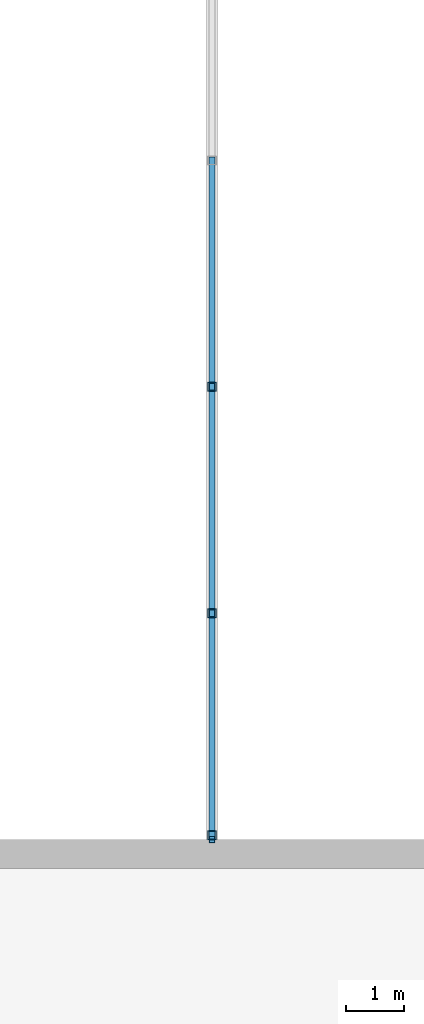
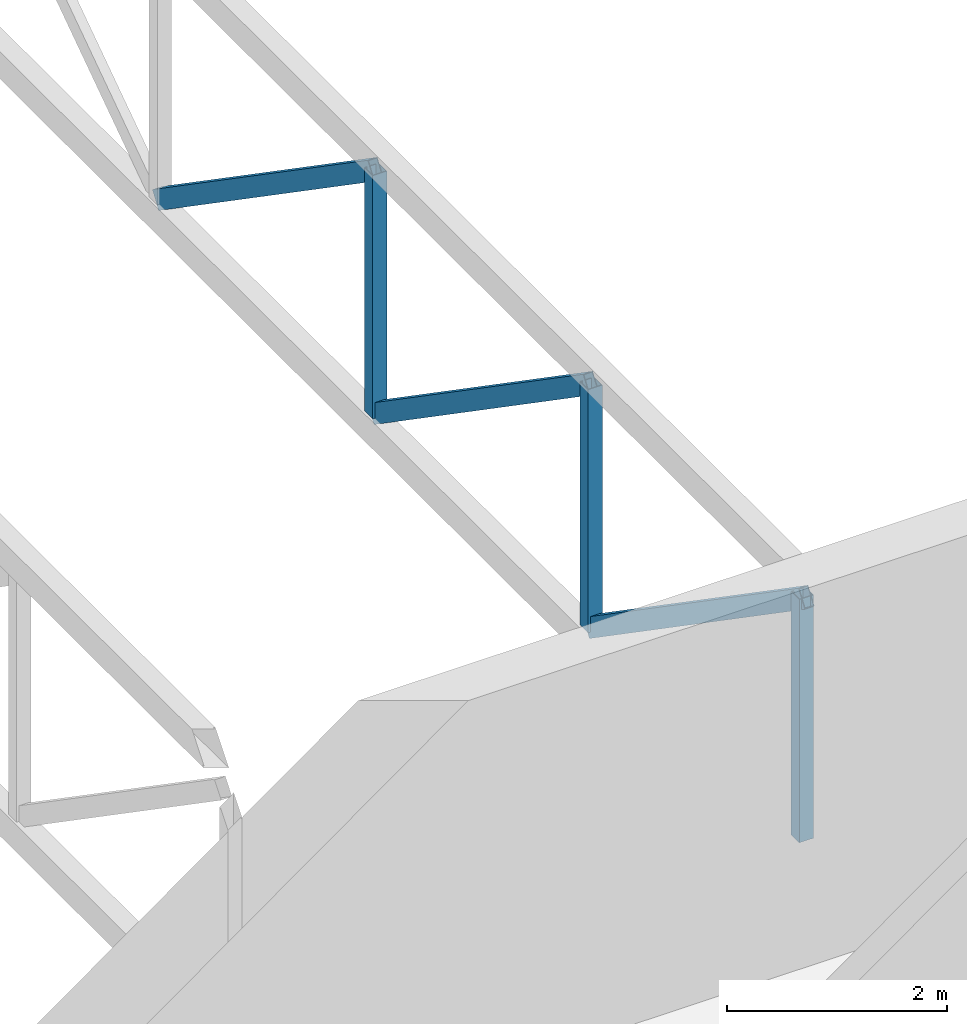
# One storey, part 8 of 47: 6 members.
"""IFC4 building model written with IfcOpenShell, lengths in metres."""

import ifcopenshell
import ifcopenshell.guid

model = None  # the IFC model being written
_history = None  # IfcOwnerHistory: only IFC2X3 demands one
_inside = {}  # id of a spatial element -> (the spatial element, [elements in it])
_under = {}  # id of a project, library or spatial element -> (it, [spatial elements below it])
_declared = {}  # id of a project -> (the project, [libraries it declares])
_typed = {}  # id of a type object -> (the type object, [elements of that type])
_made_of = {}  # id of a material, layer set ... -> (it, [elements and type objects made of it])


def new_model(schema):
    """Start an empty IFC model of exactly this schema.

    Asked for "IFC4X3", IfcOpenShell would pick the latest addendum, in which some entities
    have other attributes; the version numbers below select the first issue.
    IFC2X3 requires an IfcOwnerHistory on every rooted entity: one is made here for all.
    """
    global model, _history
    if schema == "IFC4X3":
        model = ifcopenshell.file(schema_version=(4, 3, 0, 0))
    else:
        model = ifcopenshell.file(schema=schema)
    _inside.clear()
    _under.clear()
    _declared.clear()
    _typed.clear()
    _made_of.clear()
    _history = None
    if model.schema == "IFC2X3":
        org = make("IfcOrganization", Name="unknown")
        user = make(
            "IfcPersonAndOrganization",
            ThePerson=make("IfcPerson", FamilyName="unknown"),
            TheOrganization=org,
        )
        app = make(
            "IfcApplication",
            ApplicationDeveloper=org,
            Version="unknown",
            ApplicationFullName="unknown",
            ApplicationIdentifier="unknown",
        )
        _history = make(
            "IfcOwnerHistory",
            OwningUser=user,
            OwningApplication=app,
            ChangeAction="ADDED",
            CreationDate=0,
        )
    return model


def make(cls, **values):
    """One entity of the class cls with the attributes given. An attribute that is None is left unset."""
    return model.create_entity(
        cls, **{name: value for name, value in values.items() if value is not None}
    )


def rooted(cls, **values):
    """An entity with a GlobalId (a new one), such as an element, a storey or a relation."""
    return make(cls, GlobalId=ifcopenshell.guid.new(), OwnerHistory=_history, **values)


def si_unit(unit_type, name, prefix=None):
    """IfcSIUnit, for example si_unit("LENGTHUNIT", "METRE", prefix="MILLI")."""
    return make("IfcSIUnit", UnitType=unit_type, Prefix=prefix, Name=name)


def assignment(units):
    """IfcUnitAssignment: the units of a project."""
    return None if units is None else make("IfcUnitAssignment", Units=units)


def point(xyz):
    """IfcCartesianPoint."""
    return None if xyz is None else make("IfcCartesianPoint", Coordinates=xyz)


def direction(xyz):
    """IfcDirection."""
    return None if xyz is None else make("IfcDirection", DirectionRatios=xyz)


def frame(location, z_axis=None, x_axis=None):
    """IfcAxis2Placement3D, a coordinate frame: its origin and axes. An axis left out is left unset."""
    return make(
        "IfcAxis2Placement3D",
        Location=point(location),
        Axis=direction(z_axis),
        RefDirection=direction(x_axis),
    )


def frame_2d(location, x_axis=None):
    """IfcAxis2Placement2D, a coordinate frame in the plane: its origin and x axis."""
    return make(
        "IfcAxis2Placement2D", Location=point(location), RefDirection=direction(x_axis)
    )


def origin():
    """The frame at (0, 0, 0) with its axes left unset."""
    return frame((0.0, 0.0, 0.0))


def origin_2d():
    """The frame at (0, 0) in the plane with its x axis left unset."""
    return frame_2d((0.0, 0.0))


def place(relative_to, where):
    """IfcLocalPlacement: puts the frame where relative to a parent placement (None: the world)."""
    return make(
        "IfcLocalPlacement", PlacementRelTo=relative_to, RelativePlacement=where
    )


def context(
    kind, dimensions, precision=None, world=None, true_north=None, identifier=None
):
    """IfcGeometricRepresentationContext, for example the 3D "Model" context."""
    return make(
        "IfcGeometricRepresentationContext",
        ContextIdentifier=identifier,
        ContextType=kind,
        CoordinateSpaceDimension=dimensions,
        Precision=precision,
        WorldCoordinateSystem=world,
        TrueNorth=true_north,
    )


def subcontext(parent, identifier, kind, view, scale=None):
    """IfcGeometricRepresentationSubContext, for example "Body" below "Model"."""
    return make(
        "IfcGeometricRepresentationSubContext",
        ContextIdentifier=identifier,
        ContextType=kind,
        ParentContext=parent,
        TargetScale=scale,
        TargetView=view,
    )


def project(units=None, contexts=None):
    """IfcProject with its units and contexts."""
    return rooted(
        "IfcProject",
        Name="project",
        RepresentationContexts=contexts,
        UnitsInContext=assignment(units),
    )


def spatial(cls, under=None, at=None, **own):
    """A site, building, storey or space (cls), placed at a placement, below another one or the project."""
    s = rooted(cls, ObjectPlacement=at, **own)
    if under is not None:
        _under.setdefault(under.id(), (under, []))[1].append(s)
    return s


def profile(cls, at=None, kind="AREA", **sizes):
    """A parametric profile (cls). Its sizes go by their IFC names, for example OverallWidth=200.0."""
    return make(cls, ProfileType=kind, Position=at, **sizes)


def hollow_rectangle(**sizes):
    """IfcRectangleHollowProfileDef."""
    return profile("IfcRectangleHollowProfileDef", **sizes)


def extrude(swept, where, along, depth):
    """IfcExtrudedAreaSolid: the profile swept, set in the frame where, extruded along a direction by depth."""
    return make(
        "IfcExtrudedAreaSolid",
        SweptArea=swept,
        Position=where,
        ExtrudedDirection=direction(along),
        Depth=depth,
    )


def shape(context_of_items, identifier, shape_type, items):
    """IfcShapeRepresentation: the items that make up one representation, for example the "Body"."""
    return make(
        "IfcShapeRepresentation",
        ContextOfItems=context_of_items,
        RepresentationIdentifier=identifier,
        RepresentationType=shape_type,
        Items=items,
    )


def material(Name=None, Category=None):
    """IfcMaterial."""
    return make("IfcMaterial", Name=Name, Category=Category)


def material_profile(
    of_material, cross_section, Name=None, Category=None, Priority=None
):
    """IfcMaterialProfile: a cross section and its material."""
    return make(
        "IfcMaterialProfile",
        Name=Name,
        Material=of_material,
        Profile=cross_section,
        Priority=Priority,
        Category=Category,
    )


def profile_set(profiles, Name=None, composite=None):
    """IfcMaterialProfileSet."""
    return make(
        "IfcMaterialProfileSet",
        Name=Name,
        MaterialProfiles=profiles,
        CompositeProfile=composite,
    )


def made_of(thing, what):
    """Note that an element or type object is made of a material, layer set ...; save() writes the relation."""
    if what is not None:
        _made_of.setdefault(what.id(), (what, []))[1].append(thing)
    return thing


def type_object(cls, material=None, **own):
    """A type object (cls), such as IfcWallType, which elements share."""
    return made_of(rooted(cls, **own), material)


def element(
    cls,
    number,
    at=None,
    inside=None,
    cuts=None,
    type_object=None,
    material=None,
    context=None,
    identifier="Body",
    shape_type=None,
    held_by="IfcProductDefinitionShape",
    body=None,
    shapes=None,
    **own,
):
    """One element of the class cls, such as IfcWall. Its Tag is "e" and its number.

    at: its placement. inside: the storey or other place that contains it. cuts: it is an
    opening in that element (IfcRelVoidsElement). A single representation is given by context,
    identifier, shape_type and body (its items); several are given by shapes. held_by: the class
    of the entity that holds the representations. save() writes the other relations.
    """
    e = rooted(cls, Tag="e%d" % number, ObjectPlacement=at, **own)
    if body is not None:
        shapes = [shape(context, identifier, shape_type, body)]
    if shapes is not None:
        e.Representation = make(held_by, Representations=shapes)
    if inside is not None:
        _inside.setdefault(inside.id(), (inside, []))[1].append(e)
    if cuts is not None:
        rooted(
            "IfcRelVoidsElement", RelatingBuildingElement=cuts, RelatedOpeningElement=e
        )
    if type_object is not None:
        _typed.setdefault(type_object.id(), (type_object, []))[1].append(e)
    return made_of(e, material)


def aggregate(whole, parts):
    """IfcRelAggregates: a whole, such as a stair, and the parts it consists of."""
    return rooted("IfcRelAggregates", RelatingObject=whole, RelatedObjects=parts)


def save(model, path):
    """Write the relations noted so far, then the file.

    IfcRelAggregates (storeys below a building ...), IfcRelContainedInSpatialStructure (elements
    in a storey), IfcRelDefinesByType, IfcRelAssociatesMaterial and IfcRelDeclares: one each for
    every whole, place, type object, material and project.
    """
    for whole, parts in _under.values():
        aggregate(whole, parts)
    for where, things in _inside.values():
        rooted(
            "IfcRelContainedInSpatialStructure",
            RelatedElements=things,
            RelatingStructure=where,
        )
    for kind, things in _typed.values():
        rooted("IfcRelDefinesByType", RelatedObjects=things, RelatingType=kind)
    for what, things in _made_of.values():
        rooted("IfcRelAssociatesMaterial", RelatedObjects=things, RelatingMaterial=what)
    for by, libraries in _declared.values():
        rooted("IfcRelDeclares", RelatingContext=by, RelatedDefinitions=libraries)
    model.write(path)


model = new_model("IFC4")

# Units and contexts
model_context = context("Model", 3, precision=1e-05, world=origin(), true_north=direction((0.0, 1.0)))
body_context = subcontext(model_context, "Body", "Model", "MODEL_VIEW")
ifc_project = project(units=[si_unit("LENGTHUNIT", "METRE"), si_unit("AREAUNIT", "SQUARE_METRE"), si_unit("VOLUMEUNIT", "CUBIC_METRE"), si_unit("PLANEANGLEUNIT", "RADIAN"), si_unit("MASSUNIT", "GRAM", prefix="KILO")], contexts=[model_context])

# Site, building, storey
site_placement = place(None, origin())
site = spatial("IfcSite", under=ifc_project, at=site_placement, CompositionType="ELEMENT")
building_placement = place(site_placement, origin())
building = spatial("IfcBuilding", under=site, at=building_placement, Name="Nakaniwa Court", CompositionType="ELEMENT")
storey_placement = place(building_placement, frame((0.0, 0.0, 15.60009765625)))
storey = spatial("IfcBuildingStorey", under=building, at=storey_placement, Name="L03", CompositionType="ELEMENT", Elevation=15.60009765625)

# Members
ifc_material = material(Name="Steel AS/NZS 1163 Grade C350L0", Category="steel")
ifc_material_profile_1 = material_profile(ifc_material, hollow_rectangle(XDim=0.10009765625, YDim=0.199951171875, WallThickness=0.006103515625, at=origin_2d()), Name="RHS 200x100x6")
ifc_profile_set_1 = profile_set([ifc_material_profile_1], Name="Steel AS/NZS 1163 Grade C350L0")
member_type_1 = type_object("IfcMemberType", Name="Roof truss diagonal RHS 200x100x6", PredefinedType="BRACE", material=ifc_profile_set_1)
for number, where, z_axis, x_axis, name in (
    (1, (193.0, 68.25, 3.699951171875), (0.0, 0.823336002071, -0.567554250882), (-1.0, 0.0, 0.0), "Roof truss A4 diagonal 1"),
    (2, (193.0, 72.166748046875, 3.699951171875), (0.0, 0.82331946975, -0.567578233136), (-1.0, 0.0, 0.0), "Roof truss A4 diagonal 2"),
    (3, (193.0, 76.083251953125, 3.699951171875), (0.0, 0.823336002071, -0.567554250882), (-1.0, 0.0, 0.0), "Roof truss A4 diagonal 3"),
):
    element("IfcMember", number, at=place(storey_placement, frame(where, z_axis=z_axis, x_axis=x_axis)), inside=storey, type_object=member_type_1, Name=name, PredefinedType="BRACE", context=body_context, shape_type="SweptSolid", body=[
        extrude(hollow_rectangle(XDim=0.10009765625, YDim=0.199951171875, WallThickness=0.006103515625, at=origin_2d()), origin(), (0.0, 0.0, 1.0), 4.757080078125),
    ])
ifc_material_profile_2 = material_profile(ifc_material, hollow_rectangle(XDim=0.14990234375, YDim=0.14990234375, WallThickness=0.006103515625, at=origin_2d()), Name="SHS 150x150x6")
ifc_profile_set_2 = profile_set([ifc_material_profile_2], Name="Steel AS/NZS 1163 Grade C350L0")
member_type_2 = type_object("IfcMemberType", Name="Roof truss post SHS 150x150x6", PredefinedType="STRUT", material=ifc_profile_set_2)
for number, where, z_axis, x_axis, name in (
    (4, (193.0, 68.324951171875, 1.0), (0.0, 0.0, 1.0), (1.0, 0.0, 0.0), "Roof truss A4 post 1"),
    (5, (193.0, 72.166748046875, 1.0), (0.0, 0.0, 1.0), (1.0, 0.0, 0.0), "Roof truss A4 post 2"),
    (6, (193.0, 76.083251953125, 1.0), (0.0, 0.0, 1.0), (1.0, 0.0, 0.0), "Roof truss A4 post 3"),
):
    element("IfcMember", number, at=place(storey_placement, frame(where, z_axis=z_axis, x_axis=x_axis)), inside=storey, type_object=member_type_2, Name=name, PredefinedType="STRUT", context=body_context, shape_type="SweptSolid", body=[
        extrude(hollow_rectangle(XDim=0.14990234375, YDim=0.14990234375, WallThickness=0.006103515625, at=origin_2d()), origin(), (0.0, 0.0, 1.0), 2.699951171875),
    ])

save(model, "model.ifc")
